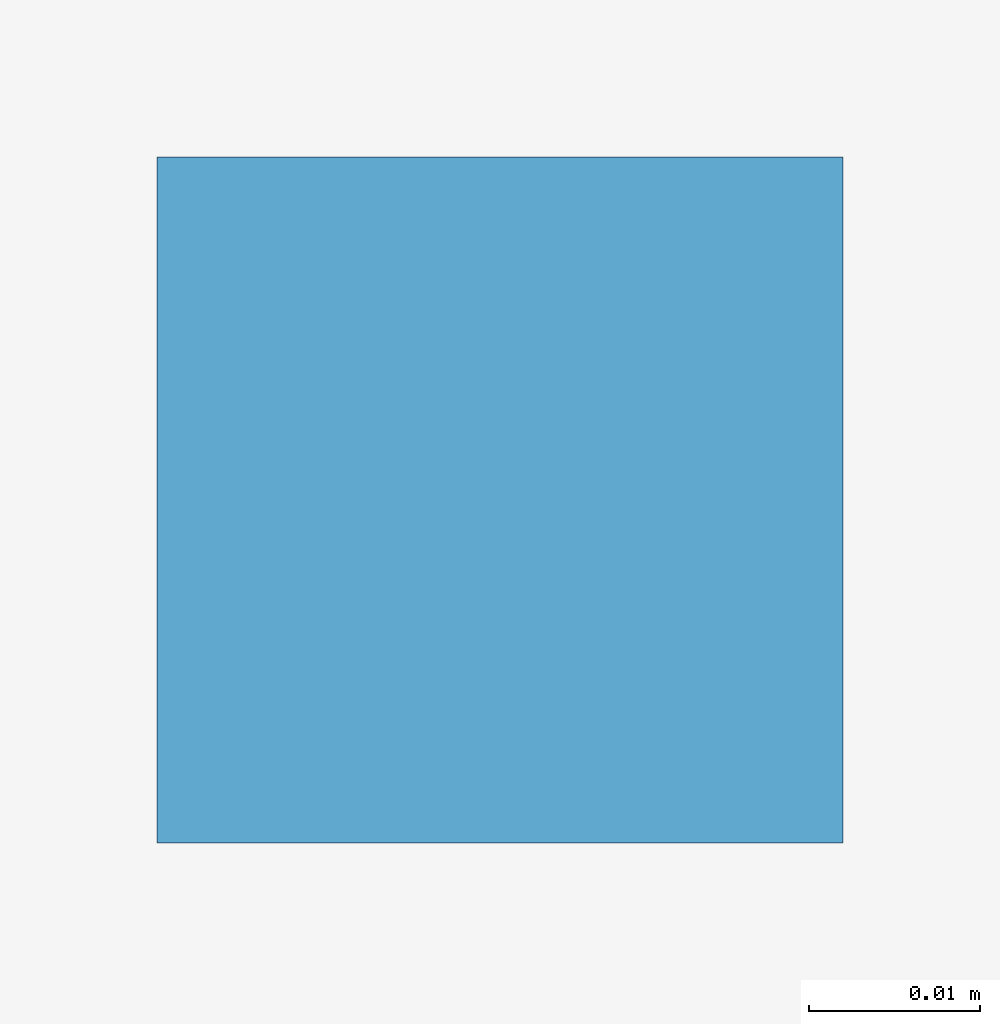
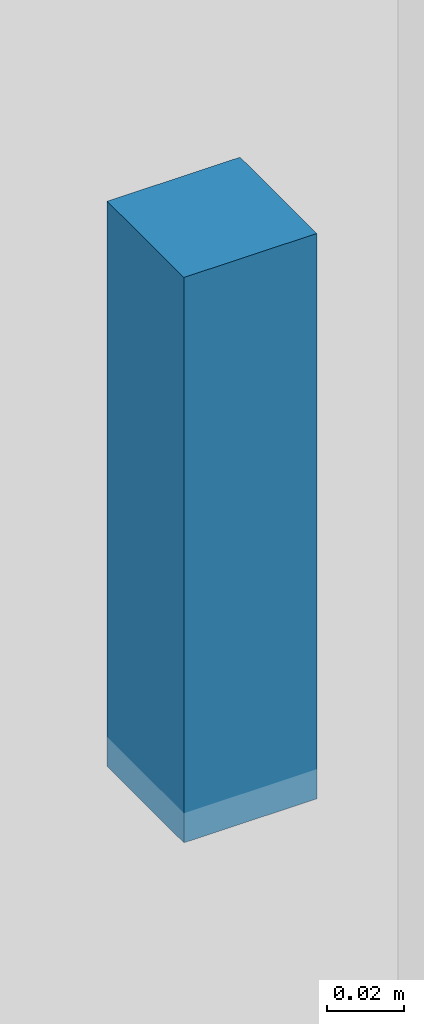
# One storey, part 66 of 85: 1 discrete accessory.
"""IFC4 building model written with IfcOpenShell, lengths in metres."""

from ifc_helpers import new_model, si_unit, direction, frame, origin, origin_2d, place, context, subcontext, project, spatial, rectangle, extrude, material, type_object, element, save


model = new_model("IFC4")

# Units and contexts
model_context = context("Model", 3, precision=1e-05, world=origin(), true_north=direction((0.0, 1.0)))
body_context = subcontext(model_context, "Body", "Model", "MODEL_VIEW")
ifc_project = project(units=[si_unit("LENGTHUNIT", "METRE"), si_unit("AREAUNIT", "SQUARE_METRE"), si_unit("VOLUMEUNIT", "CUBIC_METRE"), si_unit("PLANEANGLEUNIT", "RADIAN"), si_unit("MASSUNIT", "GRAM", prefix="KILO")], contexts=[model_context])

# Site, building, storey
site_placement = place(None, origin())
site = spatial("IfcSite", under=ifc_project, at=site_placement, CompositionType="ELEMENT")
building_placement = place(site_placement, origin())
building = spatial("IfcBuilding", under=site, at=building_placement, Name="Alvorim Cloister Faculty of Sciences", CompositionType="ELEMENT")
storey_placement = place(building_placement, frame((0.0, 0.0, 8.550048828125)))
storey = spatial("IfcBuildingStorey", under=building, at=storey_placement, Name="L02", CompositionType="ELEMENT", Elevation=8.550048828125)

# Discrete accessory
ifc_material = material(Name="Galvanised Painted Steel", Category="steel")
discrete_accessory_type = type_object("IfcDiscreteAccessoryType", Name="ACC-CEIL-ROD", PredefinedType="BRACKET", material=ifc_material)
discrete_accessory_placement = place(storey_placement, frame((97.75, 27.14990234375, 3.22998046875), z_axis=(0.0, 0.0, 1.0), x_axis=(1.0, 0.0, 0.0)))
element("IfcDiscreteAccessory", 1, at=discrete_accessory_placement, inside=storey, type_object=discrete_accessory_type, Name="Ceiling Suspension Bracket ACC-ROD-022", PredefinedType="BRACKET", context=body_context, shape_type="SweptSolid", body=[
    extrude(rectangle(XDim=0.0400390625, YDim=0.0400390625, at=origin_2d()), origin(), (0.0, 0.0, 1.0), 0.179931640625),
])

save(model, "model.ifc")
